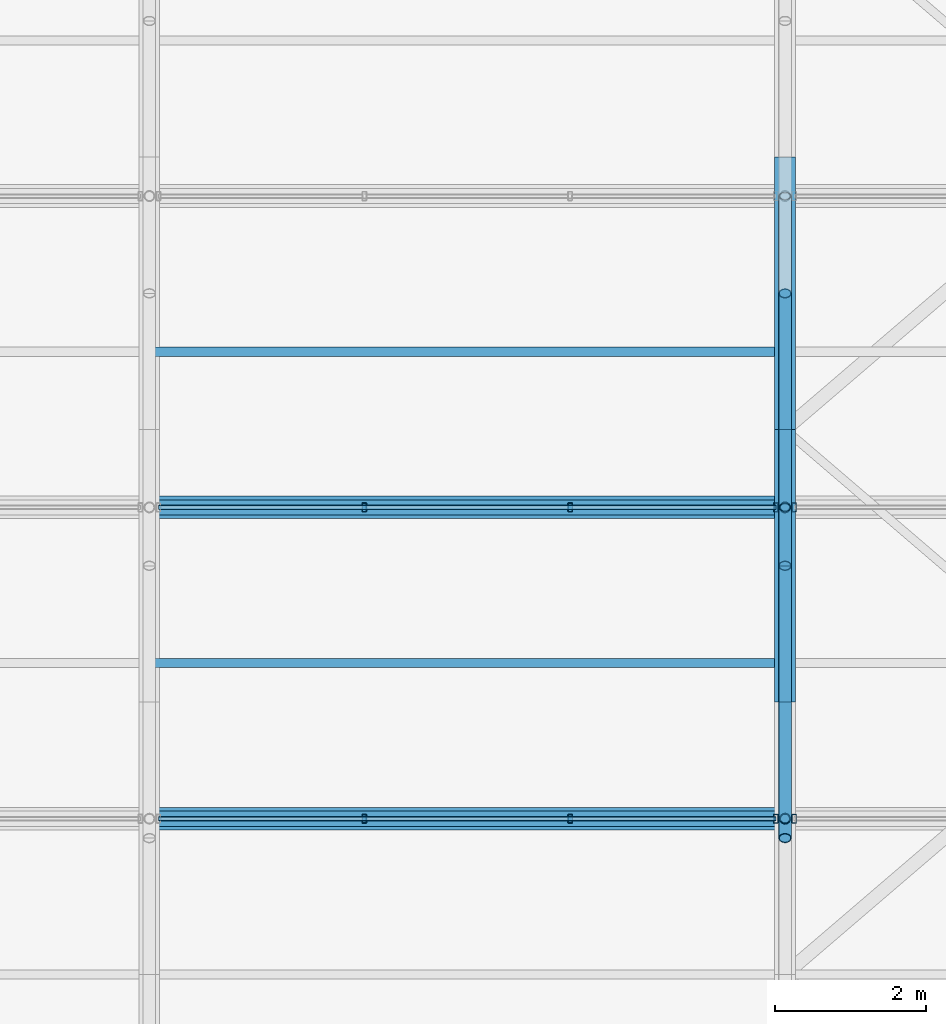
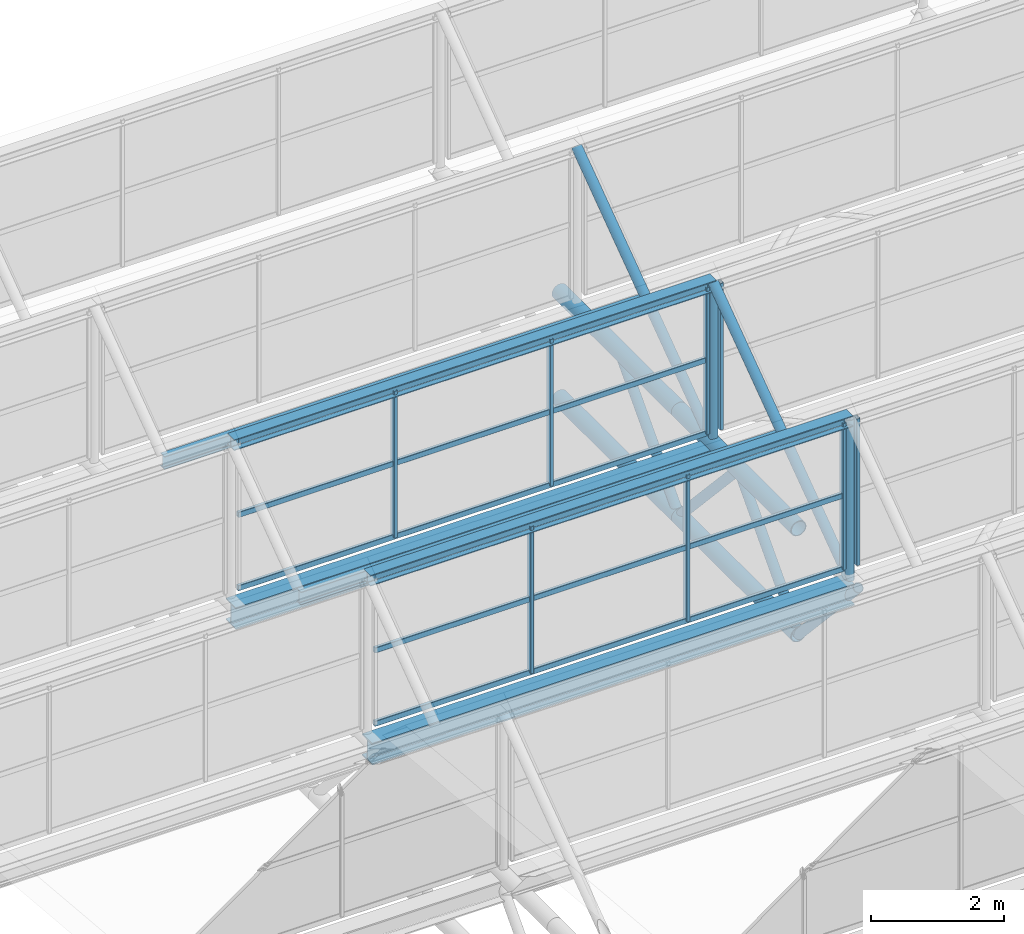
# One storey, part 89 of 134: 26 members, 6 beams, 4 elements without a shape of their own.
"""IFC4 building model written with IfcOpenShell, lengths in metres."""

from ifc_helpers import new_model, si_unit, derived_unit, direction, frame, origin, origin_2d, place, context, subcontext, project, spatial, hollow_rectangle, hollow_circle, i_section, extrude, material, material_profile, profile_set, type_object, element, aggregate, save


model = new_model("IFC4")

# Units and contexts
model_context = context("Model", 3, precision=1e-05, world=origin(), true_north=direction((0.0, 1.0)))
body_context = subcontext(model_context, "Body", "Model", "MODEL_VIEW")
ifc_project = project(units=[si_unit("LENGTHUNIT", "METRE"), si_unit("AREAUNIT", "SQUARE_METRE"), si_unit("VOLUMEUNIT", "CUBIC_METRE"), si_unit("PLANEANGLEUNIT", "RADIAN"), si_unit("MASSUNIT", "GRAM", prefix="KILO"), derived_unit("THERMALTRANSMITTANCEUNIT", [(si_unit("MASSUNIT", "GRAM", prefix="KILO"), 1), (si_unit("TIMEUNIT", "SECOND"), -3), (si_unit("THERMODYNAMICTEMPERATUREUNIT", "KELVIN"), -1)])], contexts=[model_context])

# Site, building, storey
site_placement = place(None, origin())
site = spatial("IfcSite", under=ifc_project, at=site_placement, CompositionType="ELEMENT")
building_placement = place(site_placement, origin())
building = spatial("IfcBuilding", under=site, at=building_placement, Name="Kharveza Railside Sports Centre", CompositionType="ELEMENT")
storey_placement = place(building_placement, frame((0.0, 0.0, 12.89990234375)))
storey = spatial("IfcBuildingStorey", under=building, at=storey_placement, Name="L03", CompositionType="ELEMENT", Elevation=12.89990234375)

# Beams
ifc_material_1 = material(Name="Steel S355J2", Category="steel")
ifc_material_profile_1 = material_profile(ifc_material_1, i_section(OverallWidth=0.300048828125, OverallDepth=0.39990234375, WebThickness=0.013427734375, FlangeThickness=0.02392578125, FilletRadius=0.027099609375, at=origin_2d()), Name="HEB 400")
ifc_profile_set_1 = profile_set([ifc_material_profile_1], Name="Steel S355J2")
beam_type_1 = type_object("IfcBeamType", Name="BM-G07", PredefinedType="T_BEAM", material=ifc_profile_set_1)
for number, where, z_axis, x_axis, name in (
    (1, (126.0, 95.656982421875, 1.760009765625), (1.0, 0.0, 0.0), (0.0, 1.0, 0.0), "BM-V2SAW-VAL-5-5"),
    (2, (126.0, 99.771484375, 1.760009765625), (1.0, 0.0, 0.0), (0.0, 1.0, 0.0), "BM-V2SAW-VAL-6-5"),
):
    element("IfcBeam", number, at=place(storey_placement, frame(where, z_axis=z_axis, x_axis=x_axis)), inside=storey, type_object=beam_type_1, Name=name, PredefinedType="T_BEAM", context=body_context, shape_type="SweptSolid", body=[
        extrude(i_section(OverallWidth=0.300048828125, OverallDepth=0.39990234375, WebThickness=0.013427734375, FlangeThickness=0.02392578125, FilletRadius=0.027099609375, at=origin_2d()), origin(), (0.0, 0.0, 1.0), 8.39990234375),
    ])
ifc_material_2 = material(Name="Steel S275JR", Category="steel")
ifc_material_profile_2 = material_profile(ifc_material_2, i_section(OverallWidth=0.1201171875, OverallDepth=0.239990234375, WebThickness=0.006103515625, FlangeThickness=0.009765625, FilletRadius=0.014892578125, at=origin_2d()), Name="IPE 240")
ifc_profile_set_2 = profile_set([ifc_material_profile_2], Name="Steel S275JR")
beam_type_2 = type_object("IfcBeamType", Name="BM-J01", PredefinedType="JOIST", material=ifc_profile_set_2)
for number, where, z_axis, x_axis, name in (
    (3, (126.0, 97.714111328125, 3.320068359375), (1.0, 0.0, 0.0), (0.0, 1.0, 0.0), "BM-V2SAW-PUR-5-5"),
    (4, (126.0, 101.82861328125, 3.320068359375), (1.0, 0.0, 0.0), (0.0, 1.0, 0.0), "BM-V2SAW-PUR-6-5"),
):
    element("IfcBeam", number, at=place(storey_placement, frame(where, z_axis=z_axis, x_axis=x_axis)), inside=storey, type_object=beam_type_2, Name=name, PredefinedType="JOIST", context=body_context, shape_type="SweptSolid", body=[
        extrude(i_section(OverallWidth=0.1201171875, OverallDepth=0.239990234375, WebThickness=0.006103515625, FlangeThickness=0.009765625, FilletRadius=0.014892578125, at=origin_2d()), origin(), (0.0, 0.0, 1.0), 8.39990234375),
    ])
ifc_material_profile_3 = material_profile(ifc_material_2, i_section(OverallWidth=0.199951171875, OverallDepth=0.199951171875, WebThickness=0.009033203125, FlangeThickness=0.014892578125, FilletRadius=0.01806640625, at=origin_2d()), Name="HEB 200")
ifc_profile_set_3 = profile_set([ifc_material_profile_3], Name="Steel S275JR")
beam_type_3 = type_object("IfcBeamType", Name="BM-J05", PredefinedType="JOIST", material=ifc_profile_set_3)
for number, where, z_axis, x_axis, name in (
    (5, (126.0, 95.656982421875, 4.920166015625), (1.0, 0.0, 0.0), (0.0, 1.0, 0.0), "BM-V2SAW-RDG-4-5"),
    (6, (126.0, 99.771484375, 4.920166015625), (1.0, 0.0, 0.0), (0.0, 1.0, 0.0), "BM-V2SAW-RDG-5-5"),
):
    element("IfcBeam", number, at=place(storey_placement, frame(where, z_axis=z_axis, x_axis=x_axis)), inside=storey, type_object=beam_type_3, Name=name, PredefinedType="JOIST", context=body_context, shape_type="SweptSolid", body=[
        extrude(i_section(OverallWidth=0.199951171875, OverallDepth=0.199951171875, WebThickness=0.009033203125, FlangeThickness=0.014892578125, FilletRadius=0.01806640625, at=origin_2d()), origin(), (0.0, 0.0, 1.0), 8.39990234375),
    ])

# Curtain wall, members
ifc_material_3 = material(Name="Low-E solar-control laminated glass", Category="glass")
curtain_wall_type = type_object("IfcCurtainWallType", Name="CW-NL02", PredefinedType="NOTDEFINED", material=ifc_material_3)
curtain_wall_1_placement = place(storey_placement, origin())
curtain_wall_1 = element("IfcCurtainWall", 7, at=curtain_wall_1_placement, inside=storey, type_object=curtain_wall_type, Name="CW-V2NL-4-5", PredefinedType="NOTDEFINED")
ifc_material_4 = material(Name="Anodised aluminium 6063-T6", Category="aluminium")
ifc_material_profile_4 = material_profile(ifc_material_4, hollow_rectangle(XDim=0.06005859375, YDim=0.1201171875, WallThickness=0.0048828125, InnerFilletRadius=0.0048828125, OuterFilletRadius=0.010009765625, at=origin_2d()), Name="RHS 60x120x5.0")
ifc_profile_set_4 = profile_set([ifc_material_profile_4], Name="Anodised aluminium 6063-T6")
member_type_1 = type_object("IfcMemberType", Name="CW-ML05", PredefinedType="MULLION", material=ifc_profile_set_4)
member_1_placement = place(storey_placement, frame((128.840087890625, 95.656982421875, 2.2001953125), z_axis=(0.0, 0.0, 1.0), x_axis=(1.0, 0.0, 0.0)))
member_1 = element("IfcMember", 8, at=member_1_placement, type_object=member_type_1, Name="CW-V2NL-4-5-ML2", PredefinedType="MULLION", context=body_context, shape_type="SweptSolid", body=[
    extrude(hollow_rectangle(XDim=0.06005859375, YDim=0.1201171875, WallThickness=0.0048828125, InnerFilletRadius=0.0048828125, OuterFilletRadius=0.010009765625, at=origin_2d()), origin(), (0.0, 0.0, 1.0), 2.699951171875),
])
member_2_placement = place(storey_placement, frame((131.56005859375, 95.656982421875, 2.2001953125), z_axis=(0.0, 0.0, 1.0), x_axis=(1.0, 0.0, 0.0)))
member_2 = element("IfcMember", 9, at=member_2_placement, type_object=member_type_1, Name="CW-V2NL-4-5-ML3", PredefinedType="MULLION", context=body_context, shape_type="SweptSolid", body=[
    extrude(hollow_rectangle(XDim=0.06005859375, YDim=0.1201171875, WallThickness=0.0048828125, InnerFilletRadius=0.0048828125, OuterFilletRadius=0.010009765625, at=origin_2d()), origin(), (0.0, 0.0, 1.0), 2.699951171875),
])
member_3_placement = place(storey_placement, frame((134.280029296875, 95.656982421875, 2.2001953125), z_axis=(0.0, 0.0, 1.0), x_axis=(1.0, 0.0, 0.0)))
member_3 = element("IfcMember", 10, at=member_3_placement, type_object=member_type_1, Name="CW-V2NL-4-5-ML4", PredefinedType="MULLION", context=body_context, shape_type="SweptSolid", body=[
    extrude(hollow_rectangle(XDim=0.06005859375, YDim=0.1201171875, WallThickness=0.0048828125, InnerFilletRadius=0.0048828125, OuterFilletRadius=0.010009765625, at=origin_2d()), origin(), (0.0, 0.0, 1.0), 2.699951171875),
])

# Curtain wall, member
curtain_wall_2_placement = place(storey_placement, origin())
curtain_wall_2 = element("IfcCurtainWall", 11, at=curtain_wall_2_placement, inside=storey, type_object=curtain_wall_type, Name="CW-V2NL-4-6", PredefinedType="NOTDEFINED")
member_4_placement = place(storey_placement, frame((134.52001953125, 95.656982421875, 2.2001953125), z_axis=(0.0, 0.0, 1.0), x_axis=(1.0, 0.0, 0.0)))
member_4 = element("IfcMember", 12, at=member_4_placement, type_object=member_type_1, Name="CW-V2NL-4-6-ML1", PredefinedType="MULLION", context=body_context, shape_type="SweptSolid", body=[
    extrude(hollow_rectangle(XDim=0.06005859375, YDim=0.1201171875, WallThickness=0.0048828125, InnerFilletRadius=0.0048828125, OuterFilletRadius=0.010009765625, at=origin_2d()), origin(), (0.0, 0.0, 1.0), 2.699951171875),
])
aggregate(curtain_wall_2, [member_4])

# Curtain wall, members
curtain_wall_3_placement = place(storey_placement, origin())
curtain_wall_3 = element("IfcCurtainWall", 13, at=curtain_wall_3_placement, inside=storey, type_object=curtain_wall_type, Name="CW-V2NL-5-5", PredefinedType="NOTDEFINED")
member_5_placement = place(storey_placement, frame((128.840087890625, 99.771484375, 2.2001953125), z_axis=(0.0, 0.0, 1.0), x_axis=(1.0, 0.0, 0.0)))
member_5 = element("IfcMember", 14, at=member_5_placement, type_object=member_type_1, Name="CW-V2NL-5-5-ML2", PredefinedType="MULLION", context=body_context, shape_type="SweptSolid", body=[
    extrude(hollow_rectangle(XDim=0.06005859375, YDim=0.1201171875, WallThickness=0.0048828125, InnerFilletRadius=0.0048828125, OuterFilletRadius=0.010009765625, at=origin_2d()), origin(), (0.0, 0.0, 1.0), 2.699951171875),
])
member_6_placement = place(storey_placement, frame((131.56005859375, 99.771484375, 2.2001953125), z_axis=(0.0, 0.0, 1.0), x_axis=(1.0, 0.0, 0.0)))
member_6 = element("IfcMember", 15, at=member_6_placement, type_object=member_type_1, Name="CW-V2NL-5-5-ML3", PredefinedType="MULLION", context=body_context, shape_type="SweptSolid", body=[
    extrude(hollow_rectangle(XDim=0.06005859375, YDim=0.1201171875, WallThickness=0.0048828125, InnerFilletRadius=0.0048828125, OuterFilletRadius=0.010009765625, at=origin_2d()), origin(), (0.0, 0.0, 1.0), 2.699951171875),
])
member_7_placement = place(storey_placement, frame((134.280029296875, 99.771484375, 2.2001953125), z_axis=(0.0, 0.0, 1.0), x_axis=(1.0, 0.0, 0.0)))
member_7 = element("IfcMember", 16, at=member_7_placement, type_object=member_type_1, Name="CW-V2NL-5-5-ML4", PredefinedType="MULLION", context=body_context, shape_type="SweptSolid", body=[
    extrude(hollow_rectangle(XDim=0.06005859375, YDim=0.1201171875, WallThickness=0.0048828125, InnerFilletRadius=0.0048828125, OuterFilletRadius=0.010009765625, at=origin_2d()), origin(), (0.0, 0.0, 1.0), 2.699951171875),
])

# Curtain wall, member
curtain_wall_4_placement = place(storey_placement, origin())
curtain_wall_4 = element("IfcCurtainWall", 17, at=curtain_wall_4_placement, inside=storey, type_object=curtain_wall_type, Name="CW-V2NL-5-6", PredefinedType="NOTDEFINED")
member_8_placement = place(storey_placement, frame((134.52001953125, 99.771484375, 2.2001953125), z_axis=(0.0, 0.0, 1.0), x_axis=(1.0, 0.0, 0.0)))
member_8 = element("IfcMember", 18, at=member_8_placement, type_object=member_type_1, Name="CW-V2NL-5-6-ML1", PredefinedType="MULLION", context=body_context, shape_type="SweptSolid", body=[
    extrude(hollow_rectangle(XDim=0.06005859375, YDim=0.1201171875, WallThickness=0.0048828125, InnerFilletRadius=0.0048828125, OuterFilletRadius=0.010009765625, at=origin_2d()), origin(), (0.0, 0.0, 1.0), 2.699951171875),
])
aggregate(curtain_wall_4, [member_8])

# Member
ifc_material_profile_5 = material_profile(ifc_material_4, hollow_rectangle(XDim=0.06005859375, YDim=0.10009765625, WallThickness=0.00390625, InnerFilletRadius=0.00390625, OuterFilletRadius=0.008056640625, at=origin_2d()), Name="RHS 60x100x4.0")
ifc_profile_set_5 = profile_set([ifc_material_profile_5], Name="Anodised aluminium 6063-T6")
member_type_2 = type_object("IfcMemberType", Name="CW-TR05", PredefinedType="USERDEFINED", material=ifc_profile_set_5)
member_9_placement = place(storey_placement, frame((126.1201171875, 95.656982421875, 2.2001953125), z_axis=(1.0, 0.0, 0.0), x_axis=(0.0, 1.0, 0.0)))
member_9 = element("IfcMember", 19, at=member_9_placement, type_object=member_type_2, Name="CW-V2NL-4-5-TR1", ObjectType="TRANSOM", PredefinedType="USERDEFINED", context=body_context, shape_type="SweptSolid", body=[
    extrude(hollow_rectangle(XDim=0.06005859375, YDim=0.10009765625, WallThickness=0.00390625, InnerFilletRadius=0.00390625, OuterFilletRadius=0.008056640625, at=origin_2d()), origin(), (0.0, 0.0, 1.0), 8.159912109375),
])

member_10_placement = place(storey_placement, frame((126.1201171875, 95.656982421875, 3.550048828125), z_axis=(1.0, 0.0, 0.0), x_axis=(0.0, 1.0, 0.0)))
member_10 = element("IfcMember", 20, at=member_10_placement, type_object=member_type_2, Name="CW-V2NL-4-5-TR2", ObjectType="TRANSOM", PredefinedType="USERDEFINED", context=body_context, shape_type="SweptSolid", body=[
    extrude(hollow_rectangle(XDim=0.06005859375, YDim=0.10009765625, WallThickness=0.00390625, InnerFilletRadius=0.00390625, OuterFilletRadius=0.008056640625, at=origin_2d()), origin(), (0.0, 0.0, 1.0), 8.159912109375),
])

member_11_placement = place(storey_placement, frame((126.1201171875, 95.656982421875, 4.900146484375), z_axis=(1.0, 0.0, 0.0), x_axis=(0.0, 1.0, 0.0)))
member_11 = element("IfcMember", 21, at=member_11_placement, type_object=member_type_2, Name="CW-V2NL-4-5-TR3", ObjectType="TRANSOM", PredefinedType="USERDEFINED", context=body_context, shape_type="SweptSolid", body=[
    extrude(hollow_rectangle(XDim=0.06005859375, YDim=0.10009765625, WallThickness=0.00390625, InnerFilletRadius=0.00390625, OuterFilletRadius=0.008056640625, at=origin_2d()), origin(), (0.0, 0.0, 1.0), 8.159912109375),
])

aggregate(curtain_wall_1, [member_1, member_2, member_3, member_9, member_10, member_11])

member_12_placement = place(storey_placement, frame((126.1201171875, 99.771484375, 2.2001953125), z_axis=(1.0, 0.0, 0.0), x_axis=(0.0, 1.0, 0.0)))
member_12 = element("IfcMember", 22, at=member_12_placement, type_object=member_type_2, Name="CW-V2NL-5-5-TR1", ObjectType="TRANSOM", PredefinedType="USERDEFINED", context=body_context, shape_type="SweptSolid", body=[
    extrude(hollow_rectangle(XDim=0.06005859375, YDim=0.10009765625, WallThickness=0.00390625, InnerFilletRadius=0.00390625, OuterFilletRadius=0.008056640625, at=origin_2d()), origin(), (0.0, 0.0, 1.0), 8.159912109375),
])

member_13_placement = place(storey_placement, frame((126.1201171875, 99.771484375, 3.550048828125), z_axis=(1.0, 0.0, 0.0), x_axis=(0.0, 1.0, 0.0)))
member_13 = element("IfcMember", 23, at=member_13_placement, type_object=member_type_2, Name="CW-V2NL-5-5-TR2", ObjectType="TRANSOM", PredefinedType="USERDEFINED", context=body_context, shape_type="SweptSolid", body=[
    extrude(hollow_rectangle(XDim=0.06005859375, YDim=0.10009765625, WallThickness=0.00390625, InnerFilletRadius=0.00390625, OuterFilletRadius=0.008056640625, at=origin_2d()), origin(), (0.0, 0.0, 1.0), 8.159912109375),
])

member_14_placement = place(storey_placement, frame((126.1201171875, 99.771484375, 4.900146484375), z_axis=(1.0, 0.0, 0.0), x_axis=(0.0, 1.0, 0.0)))
member_14 = element("IfcMember", 24, at=member_14_placement, type_object=member_type_2, Name="CW-V2NL-5-5-TR3", ObjectType="TRANSOM", PredefinedType="USERDEFINED", context=body_context, shape_type="SweptSolid", body=[
    extrude(hollow_rectangle(XDim=0.06005859375, YDim=0.10009765625, WallThickness=0.00390625, InnerFilletRadius=0.00390625, OuterFilletRadius=0.008056640625, at=origin_2d()), origin(), (0.0, 0.0, 1.0), 8.159912109375),
])

aggregate(curtain_wall_3, [member_5, member_6, member_7, member_12, member_13, member_14])

# Members
ifc_material_profile_6 = material_profile(ifc_material_1, hollow_circle(Radius=0.136474609375, WallThickness=0.01416015625, at=origin_2d()), Name="CHS 273.0x14.2")
ifc_profile_set_6 = profile_set([ifc_material_profile_6], Name="Steel S355J2")
member_type_3 = type_object("IfcMemberType", Name="MB-CH03", PredefinedType="CHORD", material=ifc_profile_set_6)
for number, where, z_axis, x_axis, name in (
    (25, (134.39990234375, 97.199951171875, 0.0), (0.0, 1.0, 0.0), (-1.0, 0.0, 0.0), "MB-V2TR-BC-6-6"),
    (26, (134.39990234375, 97.199951171875, 1.9501953125), (0.0, 1.0, 0.0), (-1.0, 0.0, 0.0), "MB-V2TR-TC-6-6"),
):
    element("IfcMember", number, at=place(storey_placement, frame(where, z_axis=z_axis, x_axis=x_axis)), inside=storey, type_object=member_type_3, Name=name, PredefinedType="CHORD", context=body_context, shape_type="SweptSolid", body=[
        extrude(hollow_circle(Radius=0.136474609375, WallThickness=0.01416015625, at=origin_2d()), origin(), (0.0, 0.0, 1.0), 3.60009765625),
    ])
for number, where, z_axis, x_axis, name in (
    (27, (134.39990234375, 100.800048828125, 0.0), (0.0, 1.0, 0.0), (-1.0, 0.0, 0.0), "MB-V2TR-BC-6-7"),
    (28, (134.39990234375, 100.800048828125, 1.9501953125), (0.0, 1.0, 0.0), (-1.0, 0.0, 0.0), "MB-V2TR-TC-6-7"),
):
    element("IfcMember", number, at=place(storey_placement, frame(where, z_axis=z_axis, x_axis=x_axis)), inside=storey, type_object=member_type_3, Name=name, PredefinedType="CHORD", context=body_context, shape_type="SweptSolid", body=[
        extrude(hollow_circle(Radius=0.136474609375, WallThickness=0.01416015625, at=origin_2d()), origin(), (0.0, 0.0, 1.0), 3.599853515625),
    ])
ifc_material_profile_7 = material_profile(ifc_material_1, hollow_circle(Radius=0.084228515625, WallThickness=0.010009765625, at=origin_2d()), Name="CHS 168.3x10.0")
ifc_profile_set_7 = profile_set([ifc_material_profile_7], Name="Steel S355J2")
member_type_4 = type_object("IfcMemberType", Name="MB-ST03", PredefinedType="STRUT", material=ifc_profile_set_7)
for number, where, z_axis, x_axis, name in (
    (29, (134.39990234375, 95.39990234375, 1.9501953125), (0.0, 0.67825335715, -0.734828131956), (-1.0, 0.0, 0.0), "MB-V2TR-D2-6-5"),
    (30, (134.39990234375, 97.199951171875, 0.0), (0.0, 0.67825335715, 0.734828131956), (-1.0, 0.0, 0.0), "MB-V2TR-D1-6-6"),
    (31, (134.39990234375, 99.0, 1.9501953125), (0.0, 0.67825335715, -0.734828131956), (-1.0, 0.0, 0.0), "MB-V2TR-D2-6-6"),
    (32, (134.39990234375, 100.800048828125, 0.0), (0.0, 0.67825335715, 0.734828131956), (-1.0, 0.0, 0.0), "MB-V2TR-D1-6-7"),
):
    element("IfcMember", number, at=place(storey_placement, frame(where, z_axis=z_axis, x_axis=x_axis)), inside=storey, type_object=member_type_4, Name=name, PredefinedType="STRUT", context=body_context, shape_type="SweptSolid", body=[
        extrude(hollow_circle(Radius=0.084228515625, WallThickness=0.010009765625, at=origin_2d()), origin(), (0.0, 0.0, 1.0), 2.654052734375),
    ])
member_15_placement = place(storey_placement, frame((134.39990234375, 95.656982421875, 1.9501953125), z_axis=(0.0, 0.810830173333, 0.585281496386), x_axis=(-1.0, 0.0, 0.0)))
element("IfcMember", 33, at=member_15_placement, inside=storey, type_object=member_type_4, Name="MB-V2SAW-RFT-5-6", PredefinedType="STRUT", context=body_context, shape_type="SweptSolid", body=[
    extrude(hollow_circle(Radius=0.084228515625, WallThickness=0.010009765625, at=origin_2d()), origin(), (0.0, 0.0, 1.0), 5.074462890625),
])
member_16_placement = place(storey_placement, frame((134.39990234375, 99.771484375, 1.9501953125), z_axis=(0.0, 0.810813691418, 0.585304329225), x_axis=(-1.0, 0.0, 0.0)))
element("IfcMember", 34, at=member_16_placement, inside=storey, type_object=member_type_4, Name="MB-V2SAW-RFT-6-6", PredefinedType="STRUT", context=body_context, shape_type="SweptSolid", body=[
    extrude(hollow_circle(Radius=0.084228515625, WallThickness=0.010009765625, at=origin_2d()), origin(), (0.0, 0.0, 1.0), 5.07421875),
])
ifc_material_profile_8 = material_profile(ifc_material_1, hollow_circle(Radius=0.06982421875, WallThickness=0.008056640625, at=origin_2d()), Name="CHS 139.7x8.0")
ifc_profile_set_8 = profile_set([ifc_material_profile_8], Name="Steel S355J2")
member_type_5 = type_object("IfcMemberType", Name="MB-ST04", PredefinedType="STRUT", material=ifc_profile_set_8)
for number, where, z_axis, x_axis, name in (
    (35, (134.39990234375, 95.656982421875, 1.9501953125), (0.0, 0.0, 1.0), (1.0, 0.0, 0.0), "MB-V2SAW-PST-4-6"),
    (36, (134.39990234375, 99.771484375, 1.9501953125), (0.0, 0.0, 1.0), (1.0, 0.0, 0.0), "MB-V2SAW-PST-5-6"),
):
    element("IfcMember", number, at=place(storey_placement, frame(where, z_axis=z_axis, x_axis=x_axis)), inside=storey, type_object=member_type_5, Name=name, PredefinedType="STRUT", context=body_context, shape_type="SweptSolid", body=[
        extrude(hollow_circle(Radius=0.06982421875, WallThickness=0.008056640625, at=origin_2d()), origin(), (0.0, 0.0, 1.0), 2.969970703125),
    ])

save(model, "model.ifc")
